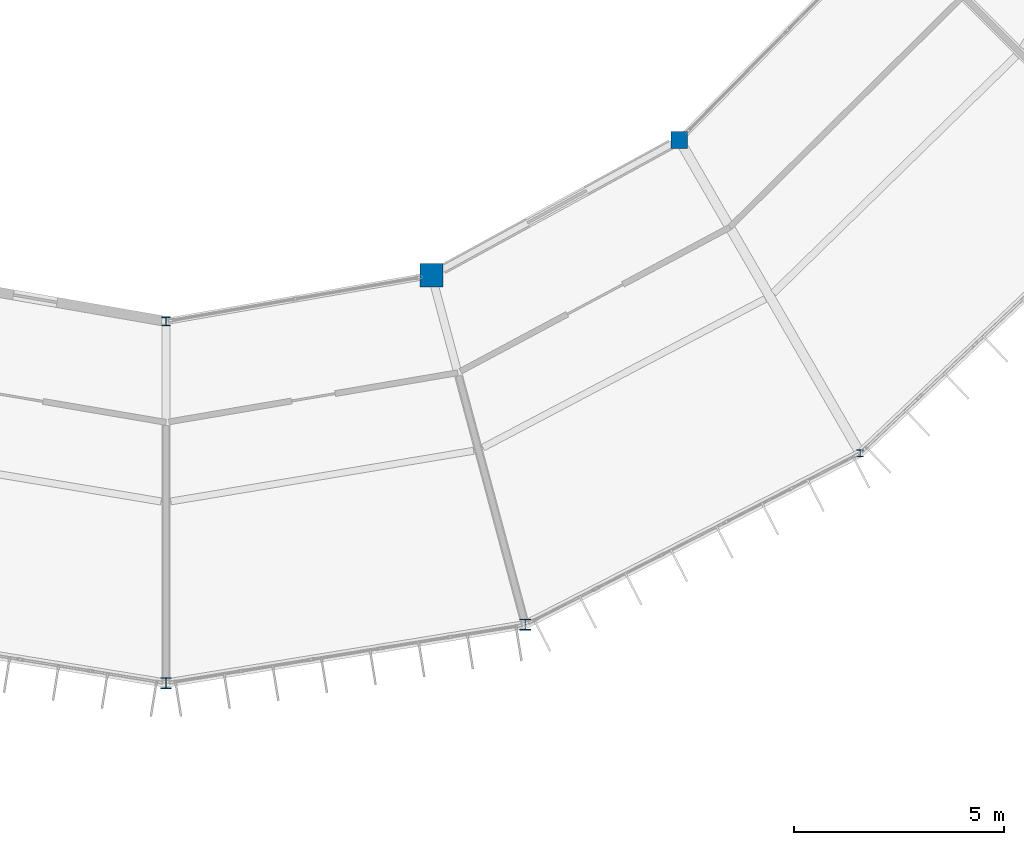
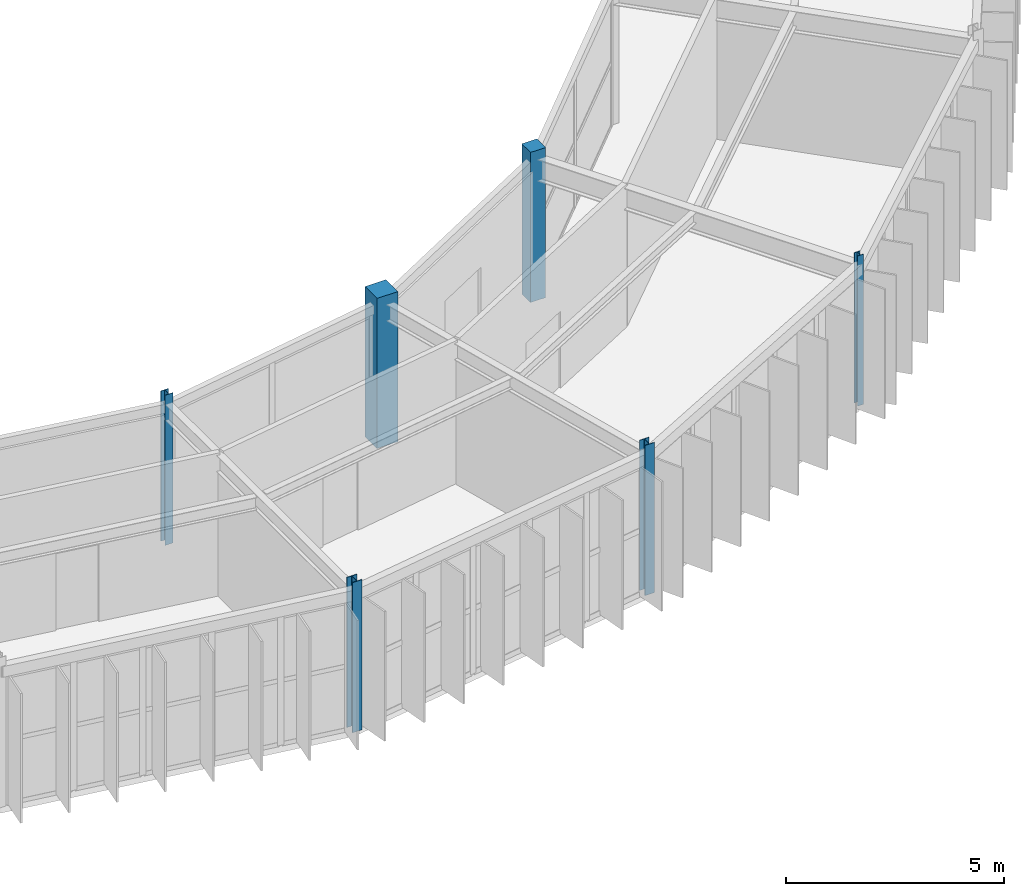
# One storey, part 8 of 130: 6 columns.
"""IFC4 building model written with IfcOpenShell, lengths in metres."""

from ifc_helpers import new_model, si_unit, direction, frame, origin, origin_2d, place, context, subcontext, project, spatial, rectangle, i_section, extrude, material, material_profile, profile_set, type_object, element, save


model = new_model("IFC4")

# Units and contexts
model_context = context("Model", 3, precision=1e-05, world=origin(), true_north=direction((0.0, 1.0)))
body_context = subcontext(model_context, "Body", "Model", "MODEL_VIEW")
ifc_project = project(units=[si_unit("LENGTHUNIT", "METRE"), si_unit("AREAUNIT", "SQUARE_METRE"), si_unit("VOLUMEUNIT", "CUBIC_METRE"), si_unit("PLANEANGLEUNIT", "RADIAN"), si_unit("MASSUNIT", "GRAM", prefix="KILO")], contexts=[model_context])

# Site, building, storey
site_placement = place(None, origin())
site = spatial("IfcSite", under=ifc_project, at=site_placement, CompositionType="ELEMENT")
building_placement = place(site_placement, origin())
building = spatial("IfcBuilding", under=site, at=building_placement, Name="Karori Crest Natural Sciences Institute", CompositionType="ELEMENT")
storey_placement = place(building_placement, frame((0.0, 0.0, 17.5)))
storey = spatial("IfcBuildingStorey", under=building, at=storey_placement, Name="L04", CompositionType="ELEMENT", Elevation=17.5)

# Columns
ifc_material_1 = material(Name="Structural steel AS/NZS 3679.1 Grade 350", Category="steel")
ifc_material_profile_1 = material_profile(ifc_material_1, i_section(OverallWidth=0.256103515625, OverallDepth=0.260009765625, WebThickness=0.010498046875, FlangeThickness=0.017333984375, FilletRadius=0.013916015625, at=origin_2d()), Name="250UC89.5")
ifc_profile_set_1 = profile_set([ifc_material_profile_1], Name="Structural steel AS/NZS 3679.1 Grade 350")
column_type_1 = type_object("IfcColumnType", Name="CT-06", PredefinedType="COLUMN", material=ifc_profile_set_1)
column_1_placement = place(storey_placement, frame((66.39990234375, 9.10009765625, 0.0), z_axis=(0.0, 0.0, 1.0), x_axis=(1.0, 0.0, 0.0)))
element("IfcColumn", 1, at=column_1_placement, inside=storey, type_object=column_type_1, Name="Column C-0307", PredefinedType="COLUMN", context=body_context, shape_type="SweptSolid", body=[
    extrude(i_section(OverallWidth=0.256103515625, OverallDepth=0.260009765625, WebThickness=0.010498046875, FlangeThickness=0.017333984375, FilletRadius=0.013916015625, at=origin_2d()), origin(), (0.0, 0.0, 1.0), 4.199951171875),
])
ifc_material_profile_2 = material_profile(ifc_material_1, i_section(OverallWidth=0.25390625, OverallDepth=0.25390625, WebThickness=0.008544921875, FlangeThickness=0.01416015625, FilletRadius=0.013916015625, at=origin_2d()), Name="250UC72.9")
ifc_profile_set_2 = profile_set([ifc_material_profile_2], Name="Structural steel AS/NZS 3679.1 Grade 350")
column_type_2 = type_object("IfcColumnType", Name="CT-07", PredefinedType="COLUMN", material=ifc_profile_set_2)
column_2_placement = place(storey_placement, frame((74.94091796875, 10.490234375, 0.0), z_axis=(0.0, 0.0, 1.0), x_axis=(1.0, 0.0, 0.0)))
element("IfcColumn", 2, at=column_2_placement, inside=storey, type_object=column_type_2, Name="Column C-0323", PredefinedType="COLUMN", context=body_context, shape_type="SweptSolid", body=[
    extrude(i_section(OverallWidth=0.25390625, OverallDepth=0.25390625, WebThickness=0.008544921875, FlangeThickness=0.01416015625, FilletRadius=0.013916015625, at=origin_2d()), origin(), (0.0, 0.0, 1.0), 4.199951171875),
])
ifc_material_profile_3 = material_profile(ifc_material_1, i_section(OverallWidth=0.205078125, OverallDepth=0.2099609375, WebThickness=0.00927734375, FlangeThickness=0.01416015625, FilletRadius=0.010986328125, at=origin_2d()), Name="200UC59.5")
ifc_profile_set_3 = profile_set([ifc_material_profile_3], Name="Structural steel AS/NZS 3679.1 Grade 350")
column_type_3 = type_object("IfcColumnType", Name="CT-08", PredefinedType="COLUMN", material=ifc_profile_set_3)
column_3_placement = place(storey_placement, frame((66.39990234375, 17.699951171875, 0.0), z_axis=(0.0, 0.0, 1.0), x_axis=(1.0, 0.0, 0.0)))
element("IfcColumn", 3, at=column_3_placement, inside=storey, type_object=column_type_3, Name="Column C-0308", PredefinedType="COLUMN", context=body_context, shape_type="SweptSolid", body=[
    extrude(i_section(OverallWidth=0.205078125, OverallDepth=0.2099609375, WebThickness=0.00927734375, FlangeThickness=0.01416015625, FilletRadius=0.010986328125, at=origin_2d()), origin(), (0.0, 0.0, 1.0), 4.199951171875),
])
ifc_material_profile_4 = material_profile(ifc_material_1, i_section(OverallWidth=0.154052734375, OverallDepth=0.162109375, WebThickness=0.008056640625, FlangeThickness=0.011474609375, FilletRadius=0.009033203125, at=origin_2d()), Name="150UC37.2")
ifc_profile_set_4 = profile_set([ifc_material_profile_4], Name="Structural steel AS/NZS 3679.1 Grade 350")
column_type_4 = type_object("IfcColumnType", Name="CT-26", PredefinedType="COLUMN", material=ifc_profile_set_4)
column_4_placement = place(storey_placement, frame((82.89990234375, 14.566162109375, 0.0), z_axis=(0.0, 0.0, 1.0), x_axis=(1.0, 0.0, 0.0)))
element("IfcColumn", 4, at=column_4_placement, inside=storey, type_object=column_type_4, Name="Column C-0339", PredefinedType="COLUMN", context=body_context, shape_type="SweptSolid", body=[
    extrude(i_section(OverallWidth=0.154052734375, OverallDepth=0.162109375, WebThickness=0.008056640625, FlangeThickness=0.011474609375, FilletRadius=0.009033203125, at=origin_2d()), origin(), (0.0, 0.0, 1.0), 4.199951171875),
])
ifc_material_2 = material(Name="Concrete 50 MPa", Category="concrete")
ifc_material_profile_5 = material_profile(ifc_material_2, rectangle(XDim=0.550048828125, YDim=0.550048828125, at=origin_2d()), Name="RC550x550")
ifc_profile_set_5 = profile_set([ifc_material_profile_5], Name="Concrete 50 MPa")
column_type_5 = type_object("IfcColumnType", Name="CT-30", PredefinedType="COLUMN", material=ifc_profile_set_5)
column_5_placement = place(storey_placement, frame((72.715087890625, 18.797119140625, 0.0), z_axis=(0.0, 0.0, 1.0), x_axis=(1.0, 0.0, 0.0)))
element("IfcColumn", 5, at=column_5_placement, inside=storey, type_object=column_type_5, Name="Column C-0324", PredefinedType="COLUMN", context=body_context, shape_type="SweptSolid", body=[
    extrude(rectangle(XDim=0.550048828125, YDim=0.550048828125, at=origin_2d()), origin(), (0.0, 0.0, 1.0), 4.199951171875),
])
ifc_material_profile_6 = material_profile(ifc_material_2, rectangle(XDim=0.39990234375, YDim=0.39990234375, at=origin_2d()), Name="RC400x400")
ifc_profile_set_6 = profile_set([ifc_material_profile_6], Name="Concrete 50 MPa")
column_type_6 = type_object("IfcColumnType", Name="CT-31", PredefinedType="PILASTER", material=ifc_profile_set_6)
column_6_placement = place(storey_placement, frame((78.60009765625, 22.013916015625, 0.0), z_axis=(0.0, 0.0, 1.0), x_axis=(1.0, 0.0, 0.0)))
element("IfcColumn", 6, at=column_6_placement, inside=storey, type_object=column_type_6, Name="Column C-0340", PredefinedType="PILASTER", context=body_context, shape_type="SweptSolid", body=[
    extrude(rectangle(XDim=0.39990234375, YDim=0.39990234375, at=origin_2d()), origin(), (0.0, 0.0, 1.0), 4.199951171875),
])

save(model, "model.ifc")
